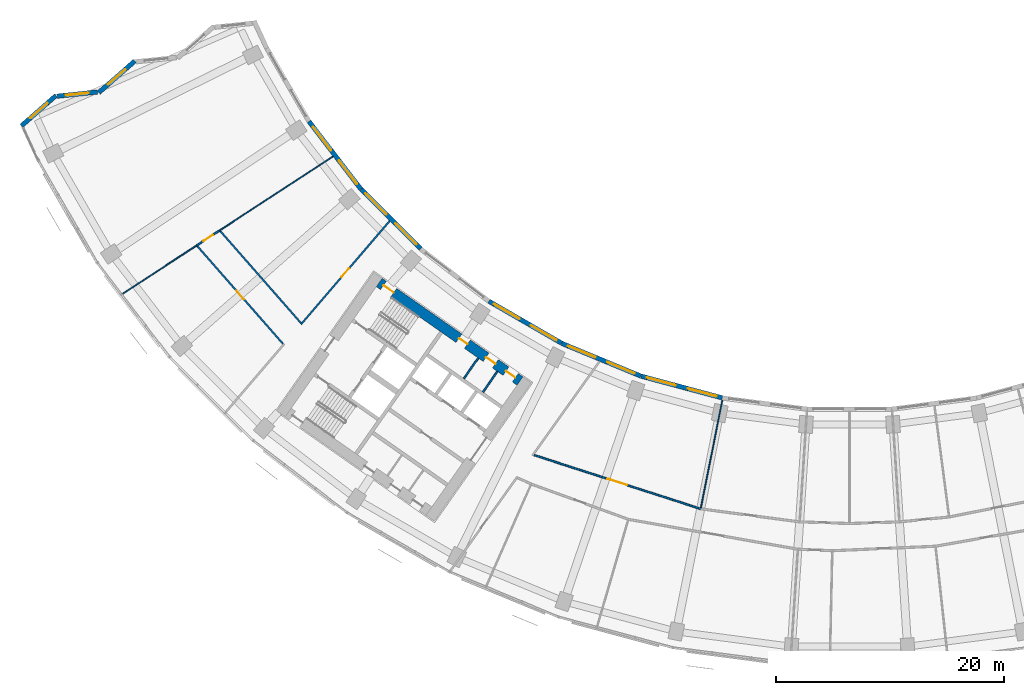
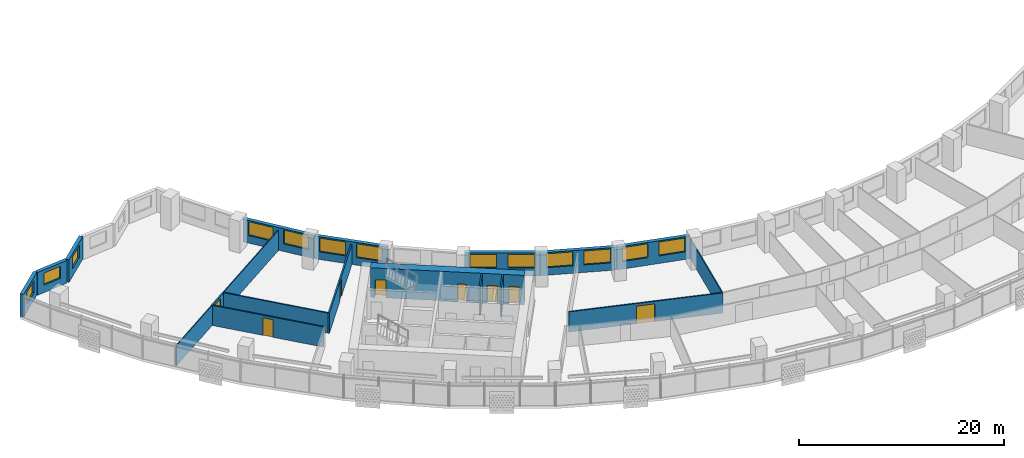
# One storey, part 4 of 29: 19 walls, 13 windows, 8 doors, 21 openings.
"""IFC4 building model written with IfcOpenShell, lengths in metres."""

from ifc_helpers import new_model, si_unit, direction, frame, frame_2d, origin, place, context, subcontext, project, spatial, rectangle, extrude, material, layer, layer_set, type_object, element, fill, save


model = new_model("IFC4")

# Units and contexts
model_context = context("Model", 3, precision=1e-05, world=origin(), true_north=direction((0.0, 1.0)))
body_context = subcontext(model_context, "Body", "Model", "MODEL_VIEW")
ifc_project = project(units=[si_unit("LENGTHUNIT", "METRE"), si_unit("AREAUNIT", "SQUARE_METRE"), si_unit("VOLUMEUNIT", "CUBIC_METRE"), si_unit("PLANEANGLEUNIT", "RADIAN"), si_unit("MASSUNIT", "GRAM", prefix="KILO")], contexts=[model_context])

# Site, building, storey
site_placement = place(None, origin())
site = spatial("IfcSite", under=ifc_project, at=site_placement, CompositionType="ELEMENT")
building_placement = place(site_placement, origin())
building = spatial("IfcBuilding", under=site, at=building_placement, Name="Qamariyya Broadcast Tower", CompositionType="ELEMENT")
storey_placement = place(building_placement, frame((0.0, 0.0, 136.699951171875)))
storey = spatial("IfcBuildingStorey", under=building, at=storey_placement, Name="L31", CompositionType="ELEMENT", Elevation=136.699951171875)

# Wall, openings, doors
ifc_material_1 = material(Name="Concrete C70/85", Category="concrete")
ifc_layer_1 = layer(ifc_material_1, 0.89990234375)
ifc_layer_set_1 = layer_set([ifc_layer_1], Name="Core wall 900 mm Concrete C70/85")
wall_type_1 = type_object("IfcWallType", Name="Core wall 900 mm Concrete C70/85", PredefinedType="SHEAR", material=ifc_layer_set_1)
wall_1_placement = place(storey_placement, frame((-28.8544921875, -54.32421875, 0.0), z_axis=(0.0, 0.0, 1.0), x_axis=(-0.819145767589, 0.573585400304, 0.0)))
wall_1 = element("IfcWall", 1, at=wall_1_placement, inside=storey, type_object=wall_type_1, Name="k-W-L31-WI", PredefinedType="SHEAR", context=body_context, shape_type="SweptSolid", body=[
    extrude(rectangle(XDim=15.04541015625, YDim=0.89990234375, at=frame_2d((7.522705078125, 0.0))), origin(), (0.0, 0.0, 1.0), 3.5),
])
opening_1_placement = place(wall_1_placement, frame((0.5, 0.0, 0.0)))
opening_1 = element("IfcOpeningElement", 2, at=opening_1_placement, cuts=wall_1, Name="Opening KD6-W2", PredefinedType="OPENING", context=body_context, shape_type="SweptSolid", body=[
    extrude(rectangle(XDim=1.0, YDim=2.10009765625, at=frame_2d((0.5, 1.050048828125))), frame((0.0, 0.4599609375, 0.0), z_axis=(0.0, -1.0, 0.0), x_axis=(1.0, 0.0, 0.0)), (0.0, 0.0, 1.0), 0.919921875),
])
opening_2_placement = place(wall_1_placement, frame((2.625, 0.0, 0.0)))
opening_2 = element("IfcOpeningElement", 3, at=opening_2_placement, cuts=wall_1, Name="Opening KD7-W1", PredefinedType="OPENING", context=body_context, shape_type="SweptSolid", body=[
    extrude(rectangle(XDim=1.0, YDim=2.10009765625, at=frame_2d((0.5, 1.050048828125))), frame((0.0, 0.4599609375, 0.0), z_axis=(0.0, -1.0, 0.0), x_axis=(1.0, 0.0, 0.0)), (0.0, 0.0, 1.0), 0.919921875),
])
opening_3_placement = place(wall_1_placement, frame((5.625, 0.0, 0.0)))
opening_3 = element("IfcOpeningElement", 4, at=opening_3_placement, cuts=wall_1, Name="Opening KD5-W1", PredefinedType="OPENING", context=body_context, shape_type="SweptSolid", body=[
    extrude(rectangle(XDim=0.89990234375, YDim=2.10009765625, at=frame_2d((0.449951171875, 1.050048828125))), frame((0.0, 0.4599609375, 0.0), z_axis=(0.0, -1.0, 0.0), x_axis=(1.0, 0.0, 0.0)), (0.0, 0.0, 1.0), 0.919921875),
])
opening_4_placement = place(wall_1_placement, frame((13.495361328125, 0.0, 0.0)))
opening_4 = element("IfcOpeningElement", 5, at=opening_4_placement, cuts=wall_1, Name="Opening KD1-W1", PredefinedType="OPENING", context=body_context, shape_type="SweptSolid", body=[
    extrude(rectangle(XDim=1.10009765625, YDim=2.10009765625, at=frame_2d((0.550048828125, 1.050048828125))), frame((0.0, 0.4599609375, 0.0), z_axis=(0.0, -1.0, 0.0), x_axis=(1.0, 0.0, 0.0)), (0.0, 0.0, 1.0), 0.919921875),
])
ifc_material_2 = material(Name="Steel fire-resisting door leaf", Category="steel")
door_type_1 = type_object("IfcDoorType", Name="Accessible toilet door KD7", OperationType="SINGLE_SWING_LEFT", PredefinedType="DOOR", material=ifc_material_2)
door_1_placement = place(opening_2_placement, origin())
door_1 = element("IfcDoor", 6, at=door_1_placement, inside=storey, type_object=door_type_1, Name="k-W-L31-WI-D7", OperationType="SINGLE_SWING_RIGHT", OverallHeight=2.10009765625, OverallWidth=1.0, PredefinedType="DOOR", context=body_context, shape_type="SweptSolid", body=[
    extrude(rectangle(XDim=1.0, YDim=2.10009765625, at=frame_2d((0.5, 1.050048828125))), frame((0.0, 0.02490234375, 0.0), z_axis=(0.0, -1.0, 0.0), x_axis=(1.0, 0.0, 0.0)), (0.0, 0.0, 1.0), 0.050048828125),
])
fill(opening_2, door_1)
door_type_2 = type_object("IfcDoorType", Name="Core room door KD6", OperationType="SINGLE_SWING_LEFT", PredefinedType="DOOR", material=ifc_material_2)
door_2_placement = place(opening_1_placement, origin())
door_2 = element("IfcDoor", 7, at=door_2_placement, inside=storey, type_object=door_type_2, Name="k-W-L31-WI-D6", OperationType="SINGLE_SWING_LEFT", OverallHeight=2.10009765625, OverallWidth=1.0, PredefinedType="DOOR", context=body_context, shape_type="SweptSolid", body=[
    extrude(rectangle(XDim=1.0, YDim=2.10009765625, at=frame_2d((0.5, 1.050048828125))), frame((0.0, 0.02490234375, 0.0), z_axis=(0.0, -1.0, 0.0), x_axis=(1.0, 0.0, 0.0)), (0.0, 0.0, 1.0), 0.050048828125),
])
fill(opening_1, door_2)
door_type_3 = type_object("IfcDoorType", Name="Stair door KD1", OperationType="SINGLE_SWING_LEFT", PredefinedType="DOOR", material=ifc_material_2)
door_3_placement = place(opening_4_placement, origin())
door_3 = element("IfcDoor", 8, at=door_3_placement, inside=storey, type_object=door_type_3, Name="k-W-L31-WI-D15", OperationType="SINGLE_SWING_RIGHT", OverallHeight=2.10009765625, OverallWidth=1.10009765625, PredefinedType="DOOR", context=body_context, shape_type="SweptSolid", body=[
    extrude(rectangle(XDim=1.10009765625, YDim=2.10009765625, at=frame_2d((0.550048828125, 1.050048828125))), frame((0.0, 0.02490234375, 0.0), z_axis=(0.0, -1.0, 0.0), x_axis=(1.0, 0.0, 0.0)), (0.0, 0.0, 1.0), 0.050048828125),
])
fill(opening_4, door_3)
door_type_4 = type_object("IfcDoorType", Name="Toilet door KD5", OperationType="SINGLE_SWING_LEFT", PredefinedType="DOOR", material=ifc_material_2)
door_4_placement = place(opening_3_placement, origin())
door_4 = element("IfcDoor", 9, at=door_4_placement, inside=storey, type_object=door_type_4, Name="k-W-L31-WI-D8", OperationType="SINGLE_SWING_LEFT", OverallHeight=2.10009765625, OverallWidth=0.89990234375, PredefinedType="DOOR", context=body_context, shape_type="SweptSolid", body=[
    extrude(rectangle(XDim=0.89990234375, YDim=2.10009765625, at=frame_2d((0.449951171875, 1.050048828125))), frame((0.0, 0.02490234375, 0.0), z_axis=(0.0, -1.0, 0.0), x_axis=(1.0, 0.0, 0.0)), (0.0, 0.0, 1.0), 0.050048828125),
])
fill(opening_3, door_4)

# Wall, opening, door
ifc_material_3 = material(Name="Gypsum board partition")
ifc_layer_2 = layer(ifc_material_3, 0.14990234375)
ifc_layer_set_2 = layer_set([ifc_layer_2], Name="Corridor partition 150 EI 60")
wall_type_2 = type_object("IfcWallType", Name="Corridor partition 150 EI 60", PredefinedType="PARTITIONING", material=ifc_layer_set_2)
wall_2_placement = place(storey_placement, frame((-57.16162109375, -42.44970703125, 0.0), z_axis=(0.0, 0.0, 1.0), x_axis=(0.837554034944, 0.546354498974, 0.0)))
wall_2 = element("IfcWall", 10, at=wall_2_placement, inside=storey, type_object=wall_type_2, Name="Partition L31-002", PredefinedType="PARTITIONING", context=body_context, shape_type="SweptSolid", body=[
    extrude(rectangle(XDim=2.404541015625, YDim=0.14990234375, at=frame_2d((1.2021484375, 0.0))), origin(), (0.0, 0.0, 1.0), 2.400146484375),
])
opening_5_placement = place(wall_2_placement, frame((0.702392578125, 0.0, 0.0)))
opening_5 = element("IfcOpeningElement", 11, at=opening_5_placement, cuts=wall_2, Name="Opening L31-D18", PredefinedType="OPENING", context=body_context, shape_type="SweptSolid", body=[
    extrude(rectangle(XDim=1.0, YDim=2.10009765625, at=frame_2d((0.5, 1.050048828125))), frame((0.0, 0.0849609375, 0.0), z_axis=(0.0, -1.0, 0.0), x_axis=(1.0, 0.0, 0.0)), (0.0, 0.0, 1.0), 0.169921875),
])
ifc_material_4 = material(Name="Timber fire door leaf", Category="wood")
door_type_5 = type_object("IfcDoorType", Name="Fire door 1000 x 2100 FD60", OperationType="NOTDEFINED", PredefinedType="DOOR", material=ifc_material_4)
door_5_placement = place(opening_5_placement, origin())
door_5 = element("IfcDoor", 12, at=door_5_placement, inside=storey, type_object=door_type_5, Name="Door L31-D18", OperationType="SINGLE_SWING_RIGHT", OverallHeight=2.10009765625, OverallWidth=1.0, PredefinedType="DOOR", context=body_context, shape_type="SweptSolid", body=[
    extrude(rectangle(XDim=1.0, YDim=2.10009765625, at=frame_2d((0.5, 1.050048828125))), frame((0.0, 0.02490234375, 0.0), z_axis=(0.0, -1.0, 0.0), x_axis=(1.0, 0.0, 0.0)), (0.0, 0.0, 1.0), 0.050048828125),
])
fill(opening_5, door_5)

wall_3_placement = place(storey_placement, frame((-49.59716796875, -51.075439453125, 0.0), z_axis=(0.0, 0.0, 1.0), x_axis=(-0.659347342495, 0.751838467987, 0.0)))
wall_3 = element("IfcWall", 13, at=wall_3_placement, inside=storey, type_object=wall_type_2, Name="Partition L31-004", PredefinedType="PARTITIONING", context=body_context, shape_type="SweptSolid", body=[
    extrude(rectangle(XDim=11.39794921875, YDim=0.14990234375, at=frame_2d((5.698974609375, 0.0))), origin(), (0.0, 0.0, 1.0), 2.400146484375),
])
opening_6_placement = place(wall_3_placement, frame((5.198974609375, 0.0, 0.0)))
opening_6 = element("IfcOpeningElement", 14, at=opening_6_placement, cuts=wall_3, Name="Opening L31-D17", PredefinedType="OPENING", context=body_context, shape_type="SweptSolid", body=[
    extrude(rectangle(XDim=1.0, YDim=2.10009765625, at=frame_2d((0.5, 1.050048828125))), frame((0.0, 0.0849609375, 0.0), z_axis=(0.0, -1.0, 0.0), x_axis=(1.0, 0.0, 0.0)), (0.0, 0.0, 1.0), 0.169921875),
])
door_6_placement = place(opening_6_placement, origin())
door_6 = element("IfcDoor", 15, at=door_6_placement, inside=storey, type_object=door_type_5, Name="Door L31-D17", OperationType="SINGLE_SWING_RIGHT", OverallHeight=2.10009765625, OverallWidth=1.0, PredefinedType="DOOR", context=body_context, shape_type="SweptSolid", body=[
    extrude(rectangle(XDim=1.0, YDim=2.10009765625, at=frame_2d((0.5, 1.050048828125))), frame((0.0, 0.02490234375, 0.0), z_axis=(0.0, -1.0, 0.0), x_axis=(1.0, 0.0, 0.0)), (0.0, 0.0, 1.0), 0.050048828125),
])
fill(opening_6, door_6)

# Wall
wall_4_placement = place(storey_placement, frame((-48.03173828125, -49.250244140625, 0.0), z_axis=(0.0, 0.0, 1.0), x_axis=(-0.659337984036, 0.751846675066, 0.0)))
element("IfcWall", 16, at=wall_4_placement, inside=storey, type_object=wall_type_2, Name="Partition L31-006", PredefinedType="PARTITIONING", context=body_context, shape_type="SweptSolid", body=[
    extrude(rectangle(XDim=10.717529296875, YDim=0.14990234375, at=frame_2d((5.35888671875, 0.0))), origin(), (0.0, 0.0, 1.0), 2.400146484375),
])

# Wall, opening, door
wall_5_placement = place(storey_placement, frame((-48.031005859375, -49.363525390625, 0.0), z_axis=(0.0, 0.0, 1.0), x_axis=(0.650981860867, 0.759093285982, 0.0)))
wall_5 = element("IfcWall", 17, at=wall_5_placement, inside=storey, type_object=wall_type_2, Name="Partition L31-007", PredefinedType="PARTITIONING", context=body_context, shape_type="SweptSolid", body=[
    extrude(rectangle(XDim=11.92578125, YDim=0.14990234375, at=frame_2d((5.962890625, 0.0))), origin(), (0.0, 0.0, 1.0), 2.400146484375),
])
opening_7_placement = place(wall_5_placement, frame((5.462890625, 0.0, 0.0)))
opening_7 = element("IfcOpeningElement", 18, at=opening_7_placement, cuts=wall_5, Name="Opening L31-D16", PredefinedType="OPENING", context=body_context, shape_type="SweptSolid", body=[
    extrude(rectangle(XDim=1.0, YDim=2.10009765625, at=frame_2d((0.5, 1.050048828125))), frame((0.0, 0.0849609375, 0.0), z_axis=(0.0, -1.0, 0.0), x_axis=(1.0, 0.0, 0.0)), (0.0, 0.0, 1.0), 0.169921875),
])
door_7_placement = place(opening_7_placement, origin())
door_7 = element("IfcDoor", 19, at=door_7_placement, inside=storey, type_object=door_type_5, Name="Door L31-D16", OperationType="SINGLE_SWING_RIGHT", OverallHeight=2.10009765625, OverallWidth=1.0, PredefinedType="DOOR", context=body_context, shape_type="SweptSolid", body=[
    extrude(rectangle(XDim=1.0, YDim=2.10009765625, at=frame_2d((0.5, 1.050048828125))), frame((0.0, 0.02490234375, 0.0), z_axis=(0.0, -1.0, 0.0), x_axis=(1.0, 0.0, 0.0)), (0.0, 0.0, 1.0), 0.050048828125),
])
fill(opening_7, door_7)

wall_6_placement = place(storey_placement, frame((-27.63916015625, -60.80419921875, 0.0), z_axis=(0.0, 0.0, 1.0), x_axis=(0.951705469381, -0.307012539729, 0.0)))
wall_6 = element("IfcWall", 20, at=wall_6_placement, inside=storey, type_object=wall_type_2, Name="Partition L31-012", PredefinedType="PARTITIONING", context=body_context, shape_type="SweptSolid", body=[
    extrude(rectangle(XDim=15.348388671875, YDim=0.14990234375, at=frame_2d((7.67431640625, 0.0))), origin(), (0.0, 0.0, 1.0), 2.400146484375),
])
opening_8_placement = place(wall_6_placement, frame((6.774169921875, 0.0, 0.0)))
opening_8 = element("IfcOpeningElement", 21, at=opening_8_placement, cuts=wall_6, Name="Opening L31-D09", PredefinedType="OPENING", context=body_context, shape_type="SweptSolid", body=[
    extrude(rectangle(XDim=1.800048828125, YDim=2.10009765625, at=frame_2d((0.89990234375, 1.050048828125))), frame((0.0, 0.0849609375, 0.0), z_axis=(0.0, -1.0, 0.0), x_axis=(1.0, 0.0, 0.0)), (0.0, 0.0, 1.0), 0.169921875),
])
door_type_6 = type_object("IfcDoorType", Name="Double fire door 1800 x 2100 FD60", OperationType="NOTDEFINED", PredefinedType="DOOR", material=ifc_material_4)
door_8_placement = place(opening_8_placement, origin())
door_8 = element("IfcDoor", 22, at=door_8_placement, inside=storey, type_object=door_type_6, Name="Door L31-D09", OperationType="DOUBLE_DOOR_SINGLE_SWING", OverallHeight=2.10009765625, OverallWidth=1.800048828125, PredefinedType="DOOR", context=body_context, shape_type="SweptSolid", body=[
    extrude(rectangle(XDim=1.800048828125, YDim=2.10009765625, at=frame_2d((0.89990234375, 1.050048828125))), frame((0.0, 0.02490234375, 0.0), z_axis=(0.0, -1.0, 0.0), x_axis=(1.0, 0.0, 0.0)), (0.0, 0.0, 1.0), 0.050048828125),
])
fill(opening_8, door_8)

# Walls
ifc_material_5 = material(Name="Gypsum board partition on steel studs", Category="steel")
ifc_layer_3 = layer(ifc_material_5, 0.14990234375)
ifc_layer_set_3 = layer_set([ifc_layer_3], Name="Gypsum board partition 150 mm")
wall_type_3 = type_object("IfcWallType", Name="Gypsum board partition 150 mm", PredefinedType="PARTITIONING", material=ifc_layer_set_3)
wall_7_placement = place(storey_placement, frame((-32.0947265625, -55.290283203125, 0.0), z_axis=(0.0, 0.0, 1.0), x_axis=(0.573559170999, 0.819164133348, 0.0)))
element("IfcWall", 23, at=wall_7_placement, inside=storey, type_object=wall_type_3, Name="k-W-L31-NP210", PredefinedType="PARTITIONING", context=body_context, shape_type="SweptSolid", body=[
    extrude(rectangle(XDim=2.19970703125, YDim=0.14990234375, at=frame_2d((1.099853515625, 0.0))), origin(), (0.0, 0.0, 1.0), 3.5),
])
wall_8_placement = place(storey_placement, frame((-33.774169921875, -54.114501953125, 0.0), z_axis=(0.0, 0.0, 1.0), x_axis=(0.573581496053, 0.819148501424, 0.0)))
element("IfcWall", 24, at=wall_8_placement, inside=storey, type_object=wall_type_3, Name="k-W-L31-NP415", PredefinedType="PARTITIONING", context=body_context, shape_type="SweptSolid", body=[
    extrude(rectangle(XDim=2.2001953125, YDim=0.14990234375, at=frame_2d((1.10009765625, 0.0))), origin(), (0.0, 0.0, 1.0), 3.5),
])
ifc_layer_4 = layer(ifc_material_3, 0.10009765625)
ifc_layer_set_4 = layer_set([ifc_layer_4], Name="Partition 100")
wall_type_4 = type_object("IfcWallType", Name="Partition 100", PredefinedType="PARTITIONING", material=ifc_layer_set_4)
wall_9_placement = place(storey_placement, frame((-63.6630859375, -46.690673828125, 0.0), z_axis=(0.0, 0.0, 1.0), x_axis=(0.837558660213, 0.546347408433, 0.0)))
element("IfcWall", 25, at=wall_9_placement, inside=storey, type_object=wall_type_4, Name="Partition L31-001", PredefinedType="PARTITIONING", context=body_context, shape_type="SweptSolid", body=[
    extrude(rectangle(XDim=7.762451171875, YDim=0.10009765625, at=frame_2d((3.88134765625, 0.0))), origin(), (0.0, 0.0, 1.0), 2.400146484375),
])
wall_10_placement = place(storey_placement, frame((-55.147705078125, -41.135986328125, 0.0), z_axis=(0.0, 0.0, 1.0), x_axis=(0.837561412918, 0.546343188473, 0.0)))
element("IfcWall", 26, at=wall_10_placement, inside=storey, type_object=wall_type_4, Name="Partition L31-003", PredefinedType="PARTITIONING", context=body_context, shape_type="SweptSolid", body=[
    extrude(rectangle(XDim=11.850830078125, YDim=0.10009765625, at=frame_2d((5.92529296875, 0.0))), origin(), (0.0, 0.0, 1.0), 2.400146484375),
])
wall_11_placement = place(storey_placement, frame((-11.1396484375, -56.0029296875, 0.0), z_axis=(0.0, 0.0, 1.0), x_axis=(-0.195086769421, -0.980785987052, 0.0)))
element("IfcWall", 27, at=wall_11_placement, inside=storey, type_object=wall_type_4, Name="Partition L31-017", PredefinedType="PARTITIONING", context=body_context, shape_type="SweptSolid", body=[
    extrude(rectangle(XDim=9.624755859375, YDim=0.10009765625, at=frame_2d((4.8125, 0.0))), origin(), (0.0, 0.0, 1.0), 2.400146484375),
])

# Wall, opening, window
ifc_material_6 = material(Name="Terracotta", Category="masonry")
ifc_layer_5 = layer(ifc_material_6, 0.39990234375)
ifc_layer_set_5 = layer_set([ifc_layer_5], Name="Terracotta clad wall 400")
wall_type_5 = type_object("IfcWallType", Name="Terracotta clad wall 400", PredefinedType="SOLIDWALL", material=ifc_layer_set_5)
wall_12_placement = place(storey_placement, frame((-62.585693359375, -26.3017578125, 0.0), z_axis=(0.0, 0.0, 1.0), x_axis=(-0.751443041403, -0.659797965689, 0.0)))
wall_12 = element("IfcWall", 28, at=wall_12_placement, inside=storey, type_object=wall_type_5, Name="e-wl-L31-capW3", PredefinedType="SOLIDWALL", context=body_context, shape_type="SweptSolid", body=[
    extrude(rectangle(XDim=4.193115234375, YDim=0.39990234375, at=frame_2d((2.0966796875, 0.0))), origin(), (0.0, 0.0, 1.0), 2.699951171875),
])
opening_9_placement = place(wall_12_placement, frame((1.0966796875, 0.0, 0.89990234375)))
opening_9 = element("IfcOpeningElement", 29, at=opening_9_placement, cuts=wall_12, Name="Opening W4", PredefinedType="OPENING", context=body_context, shape_type="SweptSolid", body=[
    extrude(rectangle(XDim=2.0, YDim=1.425048828125, at=frame_2d((1.0, 0.71240234375))), frame((0.0, 0.2099609375, 0.0), z_axis=(0.0, -1.0, 0.0), x_axis=(1.0, 0.0, 0.0)), (0.0, 0.0, 1.0), 0.419921875),
])
ifc_material_7 = material(Name="Clear low-e double glazed unit in aluminium frame", Category="aluminium")
window_type_1 = type_object("IfcWindowType", Name="Horn bay window 2000 x 1425", PartitioningType="SINGLE_PANEL", PredefinedType="WINDOW", material=ifc_material_7)
window_1_placement = place(opening_9_placement, origin())
window_1 = element("IfcWindow", 30, at=window_1_placement, inside=storey, type_object=window_type_1, Name="e-w-L31-capW3", OverallHeight=1.425048828125, OverallWidth=2.0, PartitioningType="SINGLE_PANEL", PredefinedType="WINDOW", context=body_context, shape_type="SweptSolid", body=[
    extrude(rectangle(XDim=2.0, YDim=1.425048828125, at=frame_2d((1.0, 0.71240234375))), frame((0.0, 0.030029296875, 0.0), z_axis=(0.0, -1.0, 0.0), x_axis=(1.0, 0.0, 0.0)), (0.0, 0.0, 1.0), 0.06005859375),
])
fill(opening_9, window_1)

wall_13_placement = place(storey_placement, frame((-65.8583984375, -29.01416015625, 0.0), z_axis=(0.0, 0.0, 1.0), x_axis=(-0.994612311898, -0.103664598685, 0.0)))
wall_13 = element("IfcWall", 31, at=wall_13_placement, inside=storey, type_object=wall_type_5, Name="e-wl-L31-capW4", PredefinedType="SOLIDWALL", context=body_context, shape_type="SweptSolid", body=[
    extrude(rectangle(XDim=3.525634765625, YDim=0.39990234375, at=frame_2d((1.7626953125, 0.0))), origin(), (0.0, 0.0, 1.0), 2.699951171875),
])
opening_10_placement = place(wall_13_placement, frame((0.762939453125, 0.0, 0.89990234375)))
opening_10 = element("IfcOpeningElement", 32, at=opening_10_placement, cuts=wall_13, Name="Opening W4", PredefinedType="OPENING", context=body_context, shape_type="SweptSolid", body=[
    extrude(rectangle(XDim=2.0, YDim=1.425048828125, at=frame_2d((1.0, 0.71240234375))), frame((0.0, 0.2099609375, 0.0), z_axis=(0.0, -1.0, 0.0), x_axis=(1.0, 0.0, 0.0)), (0.0, 0.0, 1.0), 0.419921875),
])
window_2_placement = place(opening_10_placement, origin())
window_2 = element("IfcWindow", 33, at=window_2_placement, inside=storey, type_object=window_type_1, Name="e-w-L31-capW4", OverallHeight=1.425048828125, OverallWidth=2.0, PartitioningType="SINGLE_PANEL", PredefinedType="WINDOW", context=body_context, shape_type="SweptSolid", body=[
    extrude(rectangle(XDim=2.0, YDim=1.425048828125, at=frame_2d((1.0, 0.71240234375))), frame((0.0, 0.030029296875, 0.0), z_axis=(0.0, -1.0, 0.0), x_axis=(1.0, 0.0, 0.0)), (0.0, 0.0, 1.0), 0.06005859375),
])
fill(opening_10, window_2)

wall_14_placement = place(storey_placement, frame((-69.486572265625, -29.325439453125, 0.0), z_axis=(0.0, 0.0, 1.0), x_axis=(-0.751426248615, -0.659817090482, 0.0)))
wall_14 = element("IfcWall", 34, at=wall_14_placement, inside=storey, type_object=wall_type_5, Name="e-wl-L31-capW5", PredefinedType="SOLIDWALL", context=body_context, shape_type="SweptSolid", body=[
    extrude(rectangle(XDim=4.013427734375, YDim=0.39990234375, at=frame_2d((2.0068359375, 0.0))), origin(), (0.0, 0.0, 1.0), 2.699951171875),
])
opening_11_placement = place(wall_14_placement, frame((1.0068359375, 0.0, 0.89990234375)))
opening_11 = element("IfcOpeningElement", 35, at=opening_11_placement, cuts=wall_14, Name="Opening W4", PredefinedType="OPENING", context=body_context, shape_type="SweptSolid", body=[
    extrude(rectangle(XDim=2.0, YDim=1.425048828125, at=frame_2d((1.0, 0.71240234375))), frame((0.0, 0.2099609375, 0.0), z_axis=(0.0, -1.0, 0.0), x_axis=(1.0, 0.0, 0.0)), (0.0, 0.0, 1.0), 0.419921875),
])
window_3_placement = place(opening_11_placement, origin())
window_3 = element("IfcWindow", 36, at=window_3_placement, inside=storey, type_object=window_type_1, Name="e-w-L31-capW5", OverallHeight=1.425048828125, OverallWidth=2.0, PartitioningType="SINGLE_PANEL", PredefinedType="WINDOW", context=body_context, shape_type="SweptSolid", body=[
    extrude(rectangle(XDim=2.0, YDim=1.425048828125, at=frame_2d((1.0, 0.71240234375))), frame((0.0, 0.030029296875, 0.0), z_axis=(0.0, -1.0, 0.0), x_axis=(1.0, 0.0, 0.0)), (0.0, 0.0, 1.0), 0.06005859375),
])
fill(opening_11, window_3)

# Wall, openings, windows
wall_15_placement = place(storey_placement, frame((-42.764892578125, -37.536865234375, 0.0), z_axis=(0.0, 0.0, 1.0), x_axis=(-0.608748204711, 0.793363487476, 0.0)))
wall_15 = element("IfcWall", 37, at=wall_15_placement, inside=storey, type_object=wall_type_5, Name="e-wl-L31-in20", PredefinedType="SOLIDWALL", context=body_context, shape_type="SweptSolid", body=[
    extrude(rectangle(XDim=7.492919921875, YDim=0.39990234375, at=frame_2d((3.74658203125, 0.0))), origin(), (0.0, 0.0, 1.0), 2.699951171875),
])
opening_12_placement = place(wall_15_placement, frame((4.300537109375, 0.0, 0.89990234375)))
opening_12 = element("IfcOpeningElement", 38, at=opening_12_placement, cuts=wall_15, Name="Opening W1", PredefinedType="OPENING", context=body_context, shape_type="SweptSolid", body=[
    extrude(rectangle(XDim=2.60009765625, YDim=1.64990234375, at=frame_2d((1.300048828125, 0.824951171875))), frame((0.0, 0.2099609375, 0.0), z_axis=(0.0, -1.0, 0.0), x_axis=(1.0, 0.0, 0.0)), (0.0, 0.0, 1.0), 0.419921875),
])
opening_13_placement = place(wall_15_placement, frame((0.59228515625, 0.0, 0.89990234375)))
opening_13 = element("IfcOpeningElement", 39, at=opening_13_placement, cuts=wall_15, Name="Opening W1", PredefinedType="OPENING", context=body_context, shape_type="SweptSolid", body=[
    extrude(rectangle(XDim=2.60009765625, YDim=1.64990234375, at=frame_2d((1.300048828125, 0.824951171875))), frame((0.0, 0.2099609375, 0.0), z_axis=(0.0, -1.0, 0.0), x_axis=(1.0, 0.0, 0.0)), (0.0, 0.0, 1.0), 0.419921875),
])
window_type_2 = type_object("IfcWindowType", Name="Ribbon window 2600 x 1650", PartitioningType="SINGLE_PANEL", PredefinedType="WINDOW", material=ifc_material_7)
window_4_placement = place(opening_12_placement, origin())
window_4 = element("IfcWindow", 40, at=window_4_placement, inside=storey, type_object=window_type_2, Name="e-w-L31-in02-0", OverallHeight=1.64990234375, OverallWidth=2.60009765625, PartitioningType="SINGLE_PANEL", PredefinedType="WINDOW", context=body_context, shape_type="SweptSolid", body=[
    extrude(rectangle(XDim=2.60009765625, YDim=1.64990234375, at=frame_2d((1.300048828125, 0.824951171875))), frame((0.0, 0.030029296875, 0.0), z_axis=(0.0, -1.0, 0.0), x_axis=(1.0, 0.0, 0.0)), (0.0, 0.0, 1.0), 0.06005859375),
])
fill(opening_12, window_4)
window_5_placement = place(opening_13_placement, origin())
window_5 = element("IfcWindow", 41, at=window_5_placement, inside=storey, type_object=window_type_2, Name="e-w-L31-in02-1", OverallHeight=1.64990234375, OverallWidth=2.60009765625, PartitioningType="SINGLE_PANEL", PredefinedType="WINDOW", context=body_context, shape_type="SweptSolid", body=[
    extrude(rectangle(XDim=2.60009765625, YDim=1.64990234375, at=frame_2d((1.300048828125, 0.824951171875))), frame((0.0, 0.030029296875, 0.0), z_axis=(0.0, -1.0, 0.0), x_axis=(1.0, 0.0, 0.0)), (0.0, 0.0, 1.0), 0.06005859375),
])
fill(opening_13, window_5)

wall_16_placement = place(storey_placement, frame((-37.552978515625, -42.744140625, 0.0), z_axis=(0.0, 0.0, 1.0), x_axis=(-0.707106781187, 0.707106781187, 0.0)))
wall_16 = element("IfcWall", 42, at=wall_16_placement, inside=storey, type_object=wall_type_5, Name="e-wl-L31-in30", PredefinedType="SOLIDWALL", context=body_context, shape_type="SweptSolid", body=[
    extrude(rectangle(XDim=7.34130859375, YDim=0.39990234375, at=frame_2d((3.670654296875, 0.0))), origin(), (0.0, 0.0, 1.0), 2.699951171875),
])
opening_14_placement = place(wall_16_placement, frame((4.224853515625, 0.0, 0.89990234375)))
opening_14 = element("IfcOpeningElement", 43, at=opening_14_placement, cuts=wall_16, Name="Opening W1", PredefinedType="OPENING", context=body_context, shape_type="SweptSolid", body=[
    extrude(rectangle(XDim=2.60009765625, YDim=1.64990234375, at=frame_2d((1.300048828125, 0.824951171875))), frame((0.0, 0.2099609375, 0.0), z_axis=(0.0, -1.0, 0.0), x_axis=(1.0, 0.0, 0.0)), (0.0, 0.0, 1.0), 0.419921875),
])
opening_15_placement = place(wall_16_placement, frame((0.5166015625, 0.0, 0.89990234375)))
opening_15 = element("IfcOpeningElement", 44, at=opening_15_placement, cuts=wall_16, Name="Opening W1", PredefinedType="OPENING", context=body_context, shape_type="SweptSolid", body=[
    extrude(rectangle(XDim=2.60009765625, YDim=1.64990234375, at=frame_2d((1.300048828125, 0.824951171875))), frame((0.0, 0.2099609375, 0.0), z_axis=(0.0, -1.0, 0.0), x_axis=(1.0, 0.0, 0.0)), (0.0, 0.0, 1.0), 0.419921875),
])
window_6_placement = place(opening_14_placement, origin())
window_6 = element("IfcWindow", 45, at=window_6_placement, inside=storey, type_object=window_type_2, Name="e-w-L31-in03-0", OverallHeight=1.64990234375, OverallWidth=2.60009765625, PartitioningType="SINGLE_PANEL", PredefinedType="WINDOW", context=body_context, shape_type="SweptSolid", body=[
    extrude(rectangle(XDim=2.60009765625, YDim=1.64990234375, at=frame_2d((1.300048828125, 0.824951171875))), frame((0.0, 0.030029296875, 0.0), z_axis=(0.0, -1.0, 0.0), x_axis=(1.0, 0.0, 0.0)), (0.0, 0.0, 1.0), 0.06005859375),
])
fill(opening_14, window_6)
window_7_placement = place(opening_15_placement, origin())
window_7 = element("IfcWindow", 46, at=window_7_placement, inside=storey, type_object=window_type_2, Name="e-w-L31-in03-1", OverallHeight=1.64990234375, OverallWidth=2.60009765625, PartitioningType="SINGLE_PANEL", PredefinedType="WINDOW", context=body_context, shape_type="SweptSolid", body=[
    extrude(rectangle(XDim=2.60009765625, YDim=1.64990234375, at=frame_2d((1.300048828125, 0.824951171875))), frame((0.0, 0.030029296875, 0.0), z_axis=(0.0, -1.0, 0.0), x_axis=(1.0, 0.0, 0.0)), (0.0, 0.0, 1.0), 0.06005859375),
])
fill(opening_15, window_7)

wall_17_placement = place(storey_placement, frame((-25.21044921875, -51.007080078125, 0.0), z_axis=(0.0, 0.0, 1.0), x_axis=(-0.866030525931, 0.499991128077, 0.0)))
wall_17 = element("IfcWall", 47, at=wall_17_placement, inside=storey, type_object=wall_type_5, Name="e-wl-L31-in50", PredefinedType="SOLIDWALL", context=body_context, shape_type="SweptSolid", body=[
    extrude(rectangle(XDim=7.341552734375, YDim=0.39990234375, at=frame_2d((3.6708984375, 0.0))), origin(), (0.0, 0.0, 1.0), 2.699951171875),
])
opening_16_placement = place(wall_17_placement, frame((4.224853515625, 0.0, 0.89990234375)))
opening_16 = element("IfcOpeningElement", 48, at=opening_16_placement, cuts=wall_17, Name="Opening W1", PredefinedType="OPENING", context=body_context, shape_type="SweptSolid", body=[
    extrude(rectangle(XDim=2.60009765625, YDim=1.64990234375, at=frame_2d((1.300048828125, 0.824951171875))), frame((0.0, 0.2099609375, 0.0), z_axis=(0.0, -1.0, 0.0), x_axis=(1.0, 0.0, 0.0)), (0.0, 0.0, 1.0), 0.419921875),
])
opening_17_placement = place(wall_17_placement, frame((0.5166015625, 0.0, 0.89990234375)))
opening_17 = element("IfcOpeningElement", 49, at=opening_17_placement, cuts=wall_17, Name="Opening W1", PredefinedType="OPENING", context=body_context, shape_type="SweptSolid", body=[
    extrude(rectangle(XDim=2.60009765625, YDim=1.64990234375, at=frame_2d((1.300048828125, 0.824951171875))), frame((0.0, 0.2099609375, 0.0), z_axis=(0.0, -1.0, 0.0), x_axis=(1.0, 0.0, 0.0)), (0.0, 0.0, 1.0), 0.419921875),
])
window_8_placement = place(opening_16_placement, origin())
window_8 = element("IfcWindow", 50, at=window_8_placement, inside=storey, type_object=window_type_2, Name="e-w-L31-in05-0", OverallHeight=1.64990234375, OverallWidth=2.60009765625, PartitioningType="SINGLE_PANEL", PredefinedType="WINDOW", context=body_context, shape_type="SweptSolid", body=[
    extrude(rectangle(XDim=2.60009765625, YDim=1.64990234375, at=frame_2d((1.300048828125, 0.824951171875))), frame((0.0, 0.030029296875, 0.0), z_axis=(0.0, -1.0, 0.0), x_axis=(1.0, 0.0, 0.0)), (0.0, 0.0, 1.0), 0.06005859375),
])
fill(opening_16, window_8)
window_9_placement = place(opening_17_placement, origin())
window_9 = element("IfcWindow", 51, at=window_9_placement, inside=storey, type_object=window_type_2, Name="e-w-L31-in05-1", OverallHeight=1.64990234375, OverallWidth=2.60009765625, PartitioningType="SINGLE_PANEL", PredefinedType="WINDOW", context=body_context, shape_type="SweptSolid", body=[
    extrude(rectangle(XDim=2.60009765625, YDim=1.64990234375, at=frame_2d((1.300048828125, 0.824951171875))), frame((0.0, 0.030029296875, 0.0), z_axis=(0.0, -1.0, 0.0), x_axis=(1.0, 0.0, 0.0)), (0.0, 0.0, 1.0), 0.06005859375),
])
fill(opening_17, window_9)

wall_18_placement = place(storey_placement, frame((-18.266845703125, -53.890380859375, 0.0), z_axis=(0.0, 0.0, 1.0), x_axis=(-0.923879826967, 0.382682721486, 0.0)))
wall_18 = element("IfcWall", 52, at=wall_18_placement, inside=storey, type_object=wall_type_5, Name="e-wl-L31-in60", PredefinedType="SOLIDWALL", context=body_context, shape_type="SweptSolid", body=[
    extrude(rectangle(XDim=7.492919921875, YDim=0.39990234375, at=frame_2d((3.74658203125, 0.0))), origin(), (0.0, 0.0, 1.0), 2.699951171875),
])
opening_18_placement = place(wall_18_placement, frame((4.300537109375, 0.0, 0.89990234375)))
opening_18 = element("IfcOpeningElement", 53, at=opening_18_placement, cuts=wall_18, Name="Opening W1", PredefinedType="OPENING", context=body_context, shape_type="SweptSolid", body=[
    extrude(rectangle(XDim=2.60009765625, YDim=1.64990234375, at=frame_2d((1.300048828125, 0.824951171875))), frame((0.0, 0.2099609375, 0.0), z_axis=(0.0, -1.0, 0.0), x_axis=(1.0, 0.0, 0.0)), (0.0, 0.0, 1.0), 0.419921875),
])
opening_19_placement = place(wall_18_placement, frame((0.59228515625, 0.0, 0.89990234375)))
opening_19 = element("IfcOpeningElement", 54, at=opening_19_placement, cuts=wall_18, Name="Opening W1", PredefinedType="OPENING", context=body_context, shape_type="SweptSolid", body=[
    extrude(rectangle(XDim=2.60009765625, YDim=1.64990234375, at=frame_2d((1.300048828125, 0.824951171875))), frame((0.0, 0.2099609375, 0.0), z_axis=(0.0, -1.0, 0.0), x_axis=(1.0, 0.0, 0.0)), (0.0, 0.0, 1.0), 0.419921875),
])
window_10_placement = place(opening_18_placement, origin())
window_10 = element("IfcWindow", 55, at=window_10_placement, inside=storey, type_object=window_type_2, Name="e-w-L31-in06-0", OverallHeight=1.64990234375, OverallWidth=2.60009765625, PartitioningType="SINGLE_PANEL", PredefinedType="WINDOW", context=body_context, shape_type="SweptSolid", body=[
    extrude(rectangle(XDim=2.60009765625, YDim=1.64990234375, at=frame_2d((1.300048828125, 0.824951171875))), frame((0.0, 0.030029296875, 0.0), z_axis=(0.0, -1.0, 0.0), x_axis=(1.0, 0.0, 0.0)), (0.0, 0.0, 1.0), 0.06005859375),
])
fill(opening_18, window_10)
window_11_placement = place(opening_19_placement, origin())
window_11 = element("IfcWindow", 56, at=window_11_placement, inside=storey, type_object=window_type_2, Name="e-w-L31-in06-1", OverallHeight=1.64990234375, OverallWidth=2.60009765625, PartitioningType="SINGLE_PANEL", PredefinedType="WINDOW", context=body_context, shape_type="SweptSolid", body=[
    extrude(rectangle(XDim=2.60009765625, YDim=1.64990234375, at=frame_2d((1.300048828125, 0.824951171875))), frame((0.0, 0.030029296875, 0.0), z_axis=(0.0, -1.0, 0.0), x_axis=(1.0, 0.0, 0.0)), (0.0, 0.0, 1.0), 0.06005859375),
])
fill(opening_19, window_11)

wall_19_placement = place(storey_placement, frame((-11.149658203125, -55.7939453125, 0.0), z_axis=(0.0, 0.0, 1.0), x_axis=(-0.965924597867, 0.258823629594, 0.0)))
wall_19 = element("IfcWall", 57, at=wall_19_placement, inside=storey, type_object=wall_type_5, Name="e-wl-L31-in70", PredefinedType="SOLIDWALL", context=body_context, shape_type="SweptSolid", body=[
    extrude(rectangle(XDim=7.341552734375, YDim=0.39990234375, at=frame_2d((3.6708984375, 0.0))), origin(), (0.0, 0.0, 1.0), 2.699951171875),
])
opening_20_placement = place(wall_19_placement, frame((4.224853515625, 0.0, 0.89990234375)))
opening_20 = element("IfcOpeningElement", 58, at=opening_20_placement, cuts=wall_19, Name="Opening W1", PredefinedType="OPENING", context=body_context, shape_type="SweptSolid", body=[
    extrude(rectangle(XDim=2.60009765625, YDim=1.64990234375, at=frame_2d((1.300048828125, 0.824951171875))), frame((0.0, 0.2099609375, 0.0), z_axis=(0.0, -1.0, 0.0), x_axis=(1.0, 0.0, 0.0)), (0.0, 0.0, 1.0), 0.419921875),
])
opening_21_placement = place(wall_19_placement, frame((0.5166015625, 0.0, 0.89990234375)))
opening_21 = element("IfcOpeningElement", 59, at=opening_21_placement, cuts=wall_19, Name="Opening W1", PredefinedType="OPENING", context=body_context, shape_type="SweptSolid", body=[
    extrude(rectangle(XDim=2.60009765625, YDim=1.64990234375, at=frame_2d((1.300048828125, 0.824951171875))), frame((0.0, 0.2099609375, 0.0), z_axis=(0.0, -1.0, 0.0), x_axis=(1.0, 0.0, 0.0)), (0.0, 0.0, 1.0), 0.419921875),
])
window_12_placement = place(opening_20_placement, origin())
window_12 = element("IfcWindow", 60, at=window_12_placement, inside=storey, type_object=window_type_2, Name="e-w-L31-in07-0", OverallHeight=1.64990234375, OverallWidth=2.60009765625, PartitioningType="SINGLE_PANEL", PredefinedType="WINDOW", context=body_context, shape_type="SweptSolid", body=[
    extrude(rectangle(XDim=2.60009765625, YDim=1.64990234375, at=frame_2d((1.300048828125, 0.824951171875))), frame((0.0, 0.030029296875, 0.0), z_axis=(0.0, -1.0, 0.0), x_axis=(1.0, 0.0, 0.0)), (0.0, 0.0, 1.0), 0.06005859375),
])
fill(opening_20, window_12)
window_13_placement = place(opening_21_placement, origin())
window_13 = element("IfcWindow", 61, at=window_13_placement, inside=storey, type_object=window_type_2, Name="e-w-L31-in07-1", OverallHeight=1.64990234375, OverallWidth=2.60009765625, PartitioningType="SINGLE_PANEL", PredefinedType="WINDOW", context=body_context, shape_type="SweptSolid", body=[
    extrude(rectangle(XDim=2.60009765625, YDim=1.64990234375, at=frame_2d((1.300048828125, 0.824951171875))), frame((0.0, 0.030029296875, 0.0), z_axis=(0.0, -1.0, 0.0), x_axis=(1.0, 0.0, 0.0)), (0.0, 0.0, 1.0), 0.06005859375),
])
fill(opening_21, window_13)

save(model, "model.ifc")
